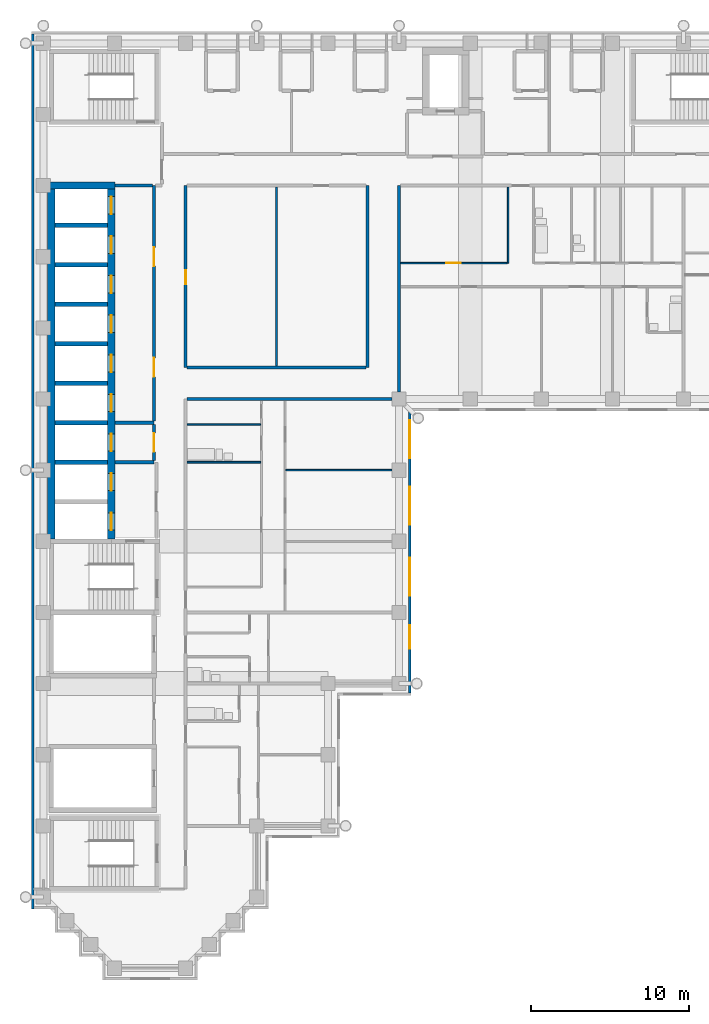
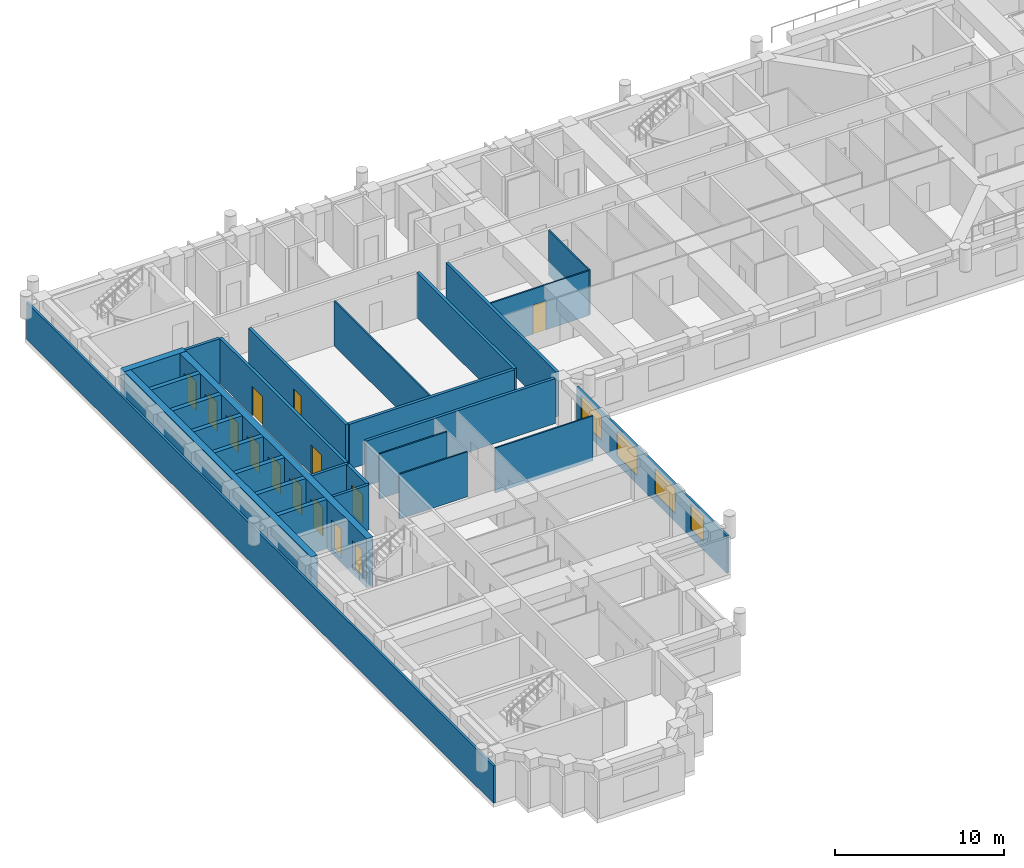
# One storey, part 7 of 14: 28 walls, 14 doors, 4 windows, 18 openings.
"""IFC4 building model written with IfcOpenShell, lengths in metres."""

from ifc_helpers import new_model, si_unit, direction, frame, frame_2d, origin, place, context, subcontext, project, spatial, rectangle, extrude, material, layer, layer_set, type_object, element, fill, save


model = new_model("IFC4")

# Units and contexts
model_context = context("Model", 3, precision=1e-05, world=origin(), true_north=direction((0.0, 1.0)))
body_context = subcontext(model_context, "Body", "Model", "MODEL_VIEW")
ifc_project = project(units=[si_unit("LENGTHUNIT", "METRE"), si_unit("AREAUNIT", "SQUARE_METRE"), si_unit("VOLUMEUNIT", "CUBIC_METRE"), si_unit("PLANEANGLEUNIT", "RADIAN"), si_unit("MASSUNIT", "GRAM", prefix="KILO")], contexts=[model_context])

# Site, building, storey
site_placement = place(None, origin())
site = spatial("IfcSite", under=ifc_project, at=site_placement, CompositionType="ELEMENT")
building_placement = place(site_placement, origin())
building = spatial("IfcBuilding", under=site, at=building_placement, Name="Firuza Court", CompositionType="ELEMENT")
storey_placement = place(building_placement, frame((0.0, 0.0, 182.60009765625)))
storey = spatial("IfcBuildingStorey", under=building, at=storey_placement, Name="L46", CompositionType="ELEMENT", Elevation=182.60009765625)

# Walls
ifc_material_1 = material(Name="Moisture-resistant gypsum board partition")
ifc_layer_1 = layer(ifc_material_1, 0.10009765625)
ifc_layer_set_1 = layer_set([ifc_layer_1], Name="Moisture-resistant gypsum board partition")
wall_type_1 = type_object("IfcWallType", Name="Bathroom partition 100", PredefinedType="PLUMBINGWALL", material=ifc_layer_set_1)
for number, where, z_axis, x_axis, name in (
    (1, (9.10009765625, 32.0, 0.0), (0.0, 0.0, 1.0), (1.0, 0.0, 0.0), "Bathroom partition 100 L46"),
    (2, (9.10009765625, 34.39990234375, 0.0), (0.0, 0.0, 1.0), (1.0, 0.0, 0.0), "Bathroom partition 100 L46"),
):
    element("IfcWall", number, at=place(storey_placement, frame(where, z_axis=z_axis, x_axis=x_axis)), inside=storey, type_object=wall_type_1, Name=name, PredefinedType="PLUMBINGWALL", context=body_context, shape_type="SweptSolid", body=[
        extrude(rectangle(XDim=4.64990234375, YDim=0.10009765625, at=frame_2d((2.324951171875, 0.0))), origin(), (0.0, 0.0, 1.0), 3.25),
    ])
ifc_material_2 = material(Name="Concrete C50/60", Category="concrete")
ifc_layer_2 = layer(ifc_material_2, 0.300048828125)
ifc_layer_set_2 = layer_set([ifc_layer_2], Name="Concrete C50/60")
wall_type_2 = type_object("IfcWallType", Name="Core wall 300 C50/60", PredefinedType="SHEAR", material=ifc_layer_set_2)
for number, where, z_axis, x_axis, name in (
    (3, (0.72509765625, 32.0, -0.300048828125), (0.0, 0.0, 1.0), (1.0, 0.0, 0.0), "Core wall lift shaft L46"),
    (4, (0.72509765625, 34.5, -0.300048828125), (0.0, 0.0, 1.0), (1.0, 0.0, 0.0), "Core wall lift shaft L46"),
    (5, (0.72509765625, 37.0, -0.300048828125), (0.0, 0.0, 1.0), (1.0, 0.0, 0.0), "Core wall lift shaft L46"),
    (6, (0.72509765625, 39.5, -0.300048828125), (0.0, 0.0, 1.0), (1.0, 0.0, 0.0), "Core wall lift shaft L46"),
    (7, (0.72509765625, 42.0, -0.300048828125), (0.0, 0.0, 1.0), (1.0, 0.0, 0.0), "Core wall lift shaft L46"),
    (8, (0.72509765625, 44.5, -0.300048828125), (0.0, 0.0, 1.0), (1.0, 0.0, 0.0), "Core wall lift shaft L46"),
    (9, (0.72509765625, 47.0, -0.300048828125), (0.0, 0.0, 1.0), (1.0, 0.0, 0.0), "Core wall lift shaft L46"),
):
    element("IfcWall", number, at=place(storey_placement, frame(where, z_axis=z_axis, x_axis=x_axis)), inside=storey, type_object=wall_type_2, Name=name, PredefinedType="SHEAR", context=body_context, shape_type="SweptSolid", body=[
        extrude(rectangle(XDim=3.349853515625, YDim=0.300048828125, at=frame_2d((1.6748046875, 0.0))), origin(), (0.0, 0.0, 1.0), 3.550048828125),
    ])
ifc_layer_3 = layer(ifc_material_2, 0.449951171875)
ifc_layer_set_3 = layer_set([ifc_layer_3], Name="Concrete C50/60")
wall_type_3 = type_object("IfcWallType", Name="Core wall 450 C50/60", PredefinedType="SHEAR", material=ifc_layer_set_3)
wall_1_placement = place(storey_placement, frame((0.27490234375, 49.5, -0.300048828125), z_axis=(0.0, 0.0, 1.0), x_axis=(1.0, 0.0, 0.0)))
element("IfcWall", 10, at=wall_1_placement, inside=storey, type_object=wall_type_3, Name="Core wall lift shaft L46", PredefinedType="SHEAR", context=body_context, shape_type="SweptSolid", body=[
    extrude(rectangle(XDim=4.25, YDim=0.449951171875, at=frame_2d((2.125, 0.0))), origin(), (0.0, 0.0, 1.0), 3.550048828125),
])
wall_2_placement = place(storey_placement, frame((0.5, 27.14990234375, -0.300048828125), z_axis=(0.0, 0.0, 1.0), x_axis=(0.0, 1.0, 0.0)))
element("IfcWall", 11, at=wall_2_placement, inside=storey, type_object=wall_type_3, Name="Core wall lift shaft L46", PredefinedType="SHEAR", context=body_context, shape_type="SweptSolid", body=[
    extrude(rectangle(XDim=22.125, YDim=0.449951171875, at=frame_2d((11.0625, 0.0))), origin(), (0.0, 0.0, 1.0), 3.550048828125),
])

# Wall, openings, doors
wall_3_placement = place(storey_placement, frame((4.300048828125, 27.14990234375, -0.300048828125), z_axis=(0.0, 0.0, 1.0), x_axis=(0.0, 1.0, 0.0)))
wall_3 = element("IfcWall", 12, at=wall_3_placement, inside=storey, type_object=wall_type_3, Name="Core wall lift shaft L46", PredefinedType="SHEAR", context=body_context, shape_type="SweptSolid", body=[
    extrude(rectangle(XDim=22.125, YDim=0.449951171875, at=frame_2d((11.0625, 0.0))), origin(), (0.0, 0.0, 1.0), 3.550048828125),
])
opening_1_placement = place(wall_3_placement, frame((3.050048828125, 0.0, 0.300048828125)))
opening_1 = element("IfcOpeningElement", 13, at=opening_1_placement, cuts=wall_3, Name="Opening LD-FL1-46", PredefinedType="OPENING", context=body_context, shape_type="SweptSolid", body=[
    extrude(rectangle(XDim=1.10009765625, YDim=2.10009765625, at=frame_2d((0.550048828125, 1.050048828125))), frame((0.0, 0.23681640625, 0.0), z_axis=(0.0, -1.0, 0.0), x_axis=(1.0, 0.0, 0.0)), (0.0, 0.0, 1.0), 0.473876953125),
])
opening_2_placement = place(wall_3_placement, frame((0.550048828125, 0.0, 0.300048828125)))
opening_2 = element("IfcOpeningElement", 14, at=opening_2_placement, cuts=wall_3, Name="Opening LD-FL2-46", PredefinedType="OPENING", context=body_context, shape_type="SweptSolid", body=[
    extrude(rectangle(XDim=1.10009765625, YDim=2.10009765625, at=frame_2d((0.550048828125, 1.050048828125))), frame((0.0, 0.23681640625, 0.0), z_axis=(0.0, -1.0, 0.0), x_axis=(1.0, 0.0, 0.0)), (0.0, 0.0, 1.0), 0.473876953125),
])
opening_3_placement = place(wall_3_placement, frame((20.550048828125, 0.0, 0.300048828125)))
opening_3 = element("IfcOpeningElement", 15, at=opening_3_placement, cuts=wall_3, Name="Opening LD-HB1-46", PredefinedType="OPENING", context=body_context, shape_type="SweptSolid", body=[
    extrude(rectangle(XDim=1.10009765625, YDim=2.10009765625, at=frame_2d((0.550048828125, 1.050048828125))), frame((0.0, 0.23681640625, 0.0), z_axis=(0.0, -1.0, 0.0), x_axis=(1.0, 0.0, 0.0)), (0.0, 0.0, 1.0), 0.473876953125),
])
opening_4_placement = place(wall_3_placement, frame((18.050048828125, 0.0, 0.300048828125)))
opening_4 = element("IfcOpeningElement", 16, at=opening_4_placement, cuts=wall_3, Name="Opening LD-HB2-46", PredefinedType="OPENING", context=body_context, shape_type="SweptSolid", body=[
    extrude(rectangle(XDim=1.10009765625, YDim=2.10009765625, at=frame_2d((0.550048828125, 1.050048828125))), frame((0.0, 0.23681640625, 0.0), z_axis=(0.0, -1.0, 0.0), x_axis=(1.0, 0.0, 0.0)), (0.0, 0.0, 1.0), 0.473876953125),
])
opening_5_placement = place(wall_3_placement, frame((15.550048828125, 0.0, 0.300048828125)))
opening_5 = element("IfcOpeningElement", 17, at=opening_5_placement, cuts=wall_3, Name="Opening LD-HB3-46", PredefinedType="OPENING", context=body_context, shape_type="SweptSolid", body=[
    extrude(rectangle(XDim=1.10009765625, YDim=2.10009765625, at=frame_2d((0.550048828125, 1.050048828125))), frame((0.0, 0.23681640625, 0.0), z_axis=(0.0, -1.0, 0.0), x_axis=(1.0, 0.0, 0.0)), (0.0, 0.0, 1.0), 0.473876953125),
])
opening_6_placement = place(wall_3_placement, frame((13.050048828125, 0.0, 0.300048828125)))
opening_6 = element("IfcOpeningElement", 18, at=opening_6_placement, cuts=wall_3, Name="Opening LD-HB4-46", PredefinedType="OPENING", context=body_context, shape_type="SweptSolid", body=[
    extrude(rectangle(XDim=1.10009765625, YDim=2.10009765625, at=frame_2d((0.550048828125, 1.050048828125))), frame((0.0, 0.23681640625, 0.0), z_axis=(0.0, -1.0, 0.0), x_axis=(1.0, 0.0, 0.0)), (0.0, 0.0, 1.0), 0.473876953125),
])
opening_7_placement = place(wall_3_placement, frame((10.550048828125, 0.0, 0.300048828125)))
opening_7 = element("IfcOpeningElement", 19, at=opening_7_placement, cuts=wall_3, Name="Opening LD-HB5-46", PredefinedType="OPENING", context=body_context, shape_type="SweptSolid", body=[
    extrude(rectangle(XDim=1.10009765625, YDim=2.10009765625, at=frame_2d((0.550048828125, 1.050048828125))), frame((0.0, 0.23681640625, 0.0), z_axis=(0.0, -1.0, 0.0), x_axis=(1.0, 0.0, 0.0)), (0.0, 0.0, 1.0), 0.473876953125),
])
opening_8_placement = place(wall_3_placement, frame((8.050048828125, 0.0, 0.300048828125)))
opening_8 = element("IfcOpeningElement", 20, at=opening_8_placement, cuts=wall_3, Name="Opening LD-HB6-46", PredefinedType="OPENING", context=body_context, shape_type="SweptSolid", body=[
    extrude(rectangle(XDim=1.10009765625, YDim=2.10009765625, at=frame_2d((0.550048828125, 1.050048828125))), frame((0.0, 0.23681640625, 0.0), z_axis=(0.0, -1.0, 0.0), x_axis=(1.0, 0.0, 0.0)), (0.0, 0.0, 1.0), 0.473876953125),
])
opening_9_placement = place(wall_3_placement, frame((5.550048828125, 0.0, 0.300048828125)))
opening_9 = element("IfcOpeningElement", 21, at=opening_9_placement, cuts=wall_3, Name="Opening LD-SL1-46", PredefinedType="OPENING", context=body_context, shape_type="SweptSolid", body=[
    extrude(rectangle(XDim=1.10009765625, YDim=2.10009765625, at=frame_2d((0.550048828125, 1.050048828125))), frame((0.0, 0.23681640625, 0.0), z_axis=(0.0, -1.0, 0.0), x_axis=(1.0, 0.0, 0.0)), (0.0, 0.0, 1.0), 0.473876953125),
])
ifc_material_3 = material(Name="Stainless steel 1.4301 door leaf", Category="steel")
door_type_1 = type_object("IfcDoorType", Name="Lift landing door 1100", OperationType="SLIDING_TO_LEFT", PredefinedType="DOOR", material=ifc_material_3)
door_1_placement = place(opening_1_placement, origin())
door_1 = element("IfcDoor", 22, at=door_1_placement, inside=storey, type_object=door_type_1, Name="Landing door FL1", OperationType="SLIDING_TO_LEFT", OverallHeight=2.10009765625, OverallWidth=1.10009765625, PredefinedType="DOOR", context=body_context, shape_type="SweptSolid", body=[
    extrude(rectangle(XDim=1.10009765625, YDim=2.10009765625, at=frame_2d((0.550048828125, 1.050048828125))), frame((0.0, 0.02490234375, 0.0), z_axis=(0.0, -1.0, 0.0), x_axis=(1.0, 0.0, 0.0)), (0.0, 0.0, 1.0), 0.050048828125),
])
fill(opening_1, door_1)
door_2_placement = place(opening_2_placement, origin())
door_2 = element("IfcDoor", 23, at=door_2_placement, inside=storey, type_object=door_type_1, Name="Landing door FL2", OperationType="SLIDING_TO_LEFT", OverallHeight=2.10009765625, OverallWidth=1.10009765625, PredefinedType="DOOR", context=body_context, shape_type="SweptSolid", body=[
    extrude(rectangle(XDim=1.10009765625, YDim=2.10009765625, at=frame_2d((0.550048828125, 1.050048828125))), frame((0.0, 0.02490234375, 0.0), z_axis=(0.0, -1.0, 0.0), x_axis=(1.0, 0.0, 0.0)), (0.0, 0.0, 1.0), 0.050048828125),
])
fill(opening_2, door_2)
door_3_placement = place(opening_3_placement, origin())
door_3 = element("IfcDoor", 24, at=door_3_placement, inside=storey, type_object=door_type_1, Name="Landing door HB1", OperationType="SLIDING_TO_LEFT", OverallHeight=2.10009765625, OverallWidth=1.10009765625, PredefinedType="DOOR", context=body_context, shape_type="SweptSolid", body=[
    extrude(rectangle(XDim=1.10009765625, YDim=2.10009765625, at=frame_2d((0.550048828125, 1.050048828125))), frame((0.0, 0.02490234375, 0.0), z_axis=(0.0, -1.0, 0.0), x_axis=(1.0, 0.0, 0.0)), (0.0, 0.0, 1.0), 0.050048828125),
])
fill(opening_3, door_3)
door_4_placement = place(opening_4_placement, origin())
door_4 = element("IfcDoor", 25, at=door_4_placement, inside=storey, type_object=door_type_1, Name="Landing door HB2", OperationType="SLIDING_TO_LEFT", OverallHeight=2.10009765625, OverallWidth=1.10009765625, PredefinedType="DOOR", context=body_context, shape_type="SweptSolid", body=[
    extrude(rectangle(XDim=1.10009765625, YDim=2.10009765625, at=frame_2d((0.550048828125, 1.050048828125))), frame((0.0, 0.02490234375, 0.0), z_axis=(0.0, -1.0, 0.0), x_axis=(1.0, 0.0, 0.0)), (0.0, 0.0, 1.0), 0.050048828125),
])
fill(opening_4, door_4)
door_5_placement = place(opening_5_placement, origin())
door_5 = element("IfcDoor", 26, at=door_5_placement, inside=storey, type_object=door_type_1, Name="Landing door HB3", OperationType="SLIDING_TO_LEFT", OverallHeight=2.10009765625, OverallWidth=1.10009765625, PredefinedType="DOOR", context=body_context, shape_type="SweptSolid", body=[
    extrude(rectangle(XDim=1.10009765625, YDim=2.10009765625, at=frame_2d((0.550048828125, 1.050048828125))), frame((0.0, 0.02490234375, 0.0), z_axis=(0.0, -1.0, 0.0), x_axis=(1.0, 0.0, 0.0)), (0.0, 0.0, 1.0), 0.050048828125),
])
fill(opening_5, door_5)
door_6_placement = place(opening_6_placement, origin())
door_6 = element("IfcDoor", 27, at=door_6_placement, inside=storey, type_object=door_type_1, Name="Landing door HB4", OperationType="SLIDING_TO_LEFT", OverallHeight=2.10009765625, OverallWidth=1.10009765625, PredefinedType="DOOR", context=body_context, shape_type="SweptSolid", body=[
    extrude(rectangle(XDim=1.10009765625, YDim=2.10009765625, at=frame_2d((0.550048828125, 1.050048828125))), frame((0.0, 0.02490234375, 0.0), z_axis=(0.0, -1.0, 0.0), x_axis=(1.0, 0.0, 0.0)), (0.0, 0.0, 1.0), 0.050048828125),
])
fill(opening_6, door_6)
door_7_placement = place(opening_7_placement, origin())
door_7 = element("IfcDoor", 28, at=door_7_placement, inside=storey, type_object=door_type_1, Name="Landing door HB5", OperationType="SLIDING_TO_LEFT", OverallHeight=2.10009765625, OverallWidth=1.10009765625, PredefinedType="DOOR", context=body_context, shape_type="SweptSolid", body=[
    extrude(rectangle(XDim=1.10009765625, YDim=2.10009765625, at=frame_2d((0.550048828125, 1.050048828125))), frame((0.0, 0.02490234375, 0.0), z_axis=(0.0, -1.0, 0.0), x_axis=(1.0, 0.0, 0.0)), (0.0, 0.0, 1.0), 0.050048828125),
])
fill(opening_7, door_7)
door_8_placement = place(opening_8_placement, origin())
door_8 = element("IfcDoor", 29, at=door_8_placement, inside=storey, type_object=door_type_1, Name="Landing door HB6", OperationType="SLIDING_TO_LEFT", OverallHeight=2.10009765625, OverallWidth=1.10009765625, PredefinedType="DOOR", context=body_context, shape_type="SweptSolid", body=[
    extrude(rectangle(XDim=1.10009765625, YDim=2.10009765625, at=frame_2d((0.550048828125, 1.050048828125))), frame((0.0, 0.02490234375, 0.0), z_axis=(0.0, -1.0, 0.0), x_axis=(1.0, 0.0, 0.0)), (0.0, 0.0, 1.0), 0.050048828125),
])
fill(opening_8, door_8)
door_9_placement = place(opening_9_placement, origin())
door_9 = element("IfcDoor", 30, at=door_9_placement, inside=storey, type_object=door_type_1, Name="Landing door SL1", OperationType="SLIDING_TO_LEFT", OverallHeight=2.10009765625, OverallWidth=1.10009765625, PredefinedType="DOOR", context=body_context, shape_type="SweptSolid", body=[
    extrude(rectangle(XDim=1.10009765625, YDim=2.10009765625, at=frame_2d((0.550048828125, 1.050048828125))), frame((0.0, 0.02490234375, 0.0), z_axis=(0.0, -1.0, 0.0), x_axis=(1.0, 0.0, 0.0)), (0.0, 0.0, 1.0), 0.050048828125),
])
fill(opening_9, door_9)

# Wall, opening, door
ifc_material_4 = material(Name="Blockwork, plastered both sides", Category="masonry")
ifc_layer_4 = layer(ifc_material_4, 0.199951171875)
ifc_layer_set_4 = layer_set([ifc_layer_4], Name="Blockwork, plastered both sides")
wall_type_4 = type_object("IfcWallType", Name="Corridor wall 200", PredefinedType="PARTITIONING", material=ifc_layer_set_4)
wall_4_placement = place(storey_placement, frame((9.0, 38.0, 0.0), z_axis=(0.0, 0.0, 1.0), x_axis=(0.0, 1.0, 0.0)))
wall_4 = element("IfcWall", 31, at=wall_4_placement, inside=storey, type_object=wall_type_4, Name="Corridor wall 200 L46", PredefinedType="PARTITIONING", context=body_context, shape_type="SweptSolid", body=[
    extrude(rectangle(XDim=11.5, YDim=0.199951171875, at=frame_2d((5.75, 0.0))), origin(), (0.0, 0.0, 1.0), 3.25),
])
opening_10_placement = place(wall_4_placement, frame((5.25, 0.0, 0.0)))
opening_10 = element("IfcOpeningElement", 32, at=opening_10_placement, cuts=wall_4, Name="Opening D46036", PredefinedType="OPENING", context=body_context, shape_type="SweptSolid", body=[
    extrude(rectangle(XDim=0.89990234375, YDim=2.10009765625, at=frame_2d((0.449951171875, 1.050048828125))), frame((0.0, 0.11181640625, 0.0), z_axis=(0.0, -1.0, 0.0), x_axis=(1.0, 0.0, 0.0)), (0.0, 0.0, 1.0), 0.223876953125),
])
ifc_material_5 = material(Name="Timber door leaf in hardwood frame", Category="wood")
door_type_2 = type_object("IfcDoorType", Name="Room door 900 EI 30", OperationType="SINGLE_SWING_LEFT", PredefinedType="DOOR", material=ifc_material_5)
door_10_placement = place(opening_10_placement, origin())
door_10 = element("IfcDoor", 33, at=door_10_placement, inside=storey, type_object=door_type_2, Name="Residents' club lounge door", OperationType="SINGLE_SWING_LEFT", OverallHeight=2.10009765625, OverallWidth=0.89990234375, PredefinedType="DOOR", context=body_context, shape_type="SweptSolid", body=[
    extrude(rectangle(XDim=0.89990234375, YDim=2.10009765625, at=frame_2d((0.449951171875, 1.050048828125))), frame((0.0, 0.02490234375, 0.0), z_axis=(0.0, -1.0, 0.0), x_axis=(1.0, 0.0, 0.0)), (0.0, 0.0, 1.0), 0.050048828125),
])
fill(opening_10, door_10)

# Walls
wall_5_placement = place(storey_placement, frame((9.10009765625, 38.0, 0.0), z_axis=(0.0, 0.0, 1.0), x_axis=(1.0, 0.0, 0.0)))
element("IfcWall", 34, at=wall_5_placement, inside=storey, type_object=wall_type_4, Name="Corridor wall 200 L46", PredefinedType="PARTITIONING", context=body_context, shape_type="SweptSolid", body=[
    extrude(rectangle(XDim=11.2998046875, YDim=0.199951171875, at=frame_2d((5.64990234375, 0.0))), origin(), (0.0, 0.0, 1.0), 3.25),
])
wall_6_placement = place(storey_placement, frame((20.5, 38.0, 0.0), z_axis=(0.0, 0.0, 1.0), x_axis=(0.0, 1.0, 0.0)))
element("IfcWall", 35, at=wall_6_placement, inside=storey, type_object=wall_type_4, Name="Corridor wall 200 L46", PredefinedType="PARTITIONING", context=body_context, shape_type="SweptSolid", body=[
    extrude(rectangle(XDim=11.5, YDim=0.199951171875, at=frame_2d((5.75, 0.0))), origin(), (0.0, 0.0, 1.0), 3.25),
])
ifc_material_6 = material(Name="Timber stud partition, plasterboard both sides", Category="wood")
ifc_layer_5 = layer(ifc_material_6, 0.10009765625)
ifc_layer_set_5 = layer_set([ifc_layer_5], Name="Timber stud partition, plasterboard both sides")
wall_type_5 = type_object("IfcWallType", Name="Partition wall 100", PredefinedType="PARTITIONING", material=ifc_layer_set_5)
wall_7_placement = place(storey_placement, frame((15.35009765625, 31.5, 0.0), z_axis=(0.0, 0.0, 1.0), x_axis=(1.0, 0.0, 0.0)))
element("IfcWall", 36, at=wall_7_placement, inside=storey, type_object=wall_type_5, Name="Partition wall 100 L46", PredefinedType="PARTITIONING", context=body_context, shape_type="SweptSolid", body=[
    extrude(rectangle(XDim=6.699951171875, YDim=0.10009765625, at=frame_2d((3.35009765625, 0.0))), origin(), (0.0, 0.0, 1.0), 3.25),
])
wall_8_placement = place(storey_placement, frame((14.75, 38.10009765625, 0.0), z_axis=(0.0, 0.0, 1.0), x_axis=(0.0, 1.0, 0.0)))
element("IfcWall", 37, at=wall_8_placement, inside=storey, type_object=wall_type_5, Name="Partition wall 100 L46", PredefinedType="PARTITIONING", context=body_context, shape_type="SweptSolid", body=[
    extrude(rectangle(XDim=11.2998046875, YDim=0.10009765625, at=frame_2d((5.64990234375, 0.0))), origin(), (0.0, 0.0, 1.0), 3.25),
])

# Wall, opening, door
wall_9_placement = place(storey_placement, frame((22.60009765625, 44.60009765625, 0.0), z_axis=(0.0, 0.0, 1.0), x_axis=(1.0, 0.0, 0.0)))
wall_9 = element("IfcWall", 38, at=wall_9_placement, inside=storey, type_object=wall_type_5, Name="Partition wall 100 L46", PredefinedType="PARTITIONING", context=body_context, shape_type="SweptSolid", body=[
    extrude(rectangle(XDim=6.75, YDim=0.10009765625, at=frame_2d((3.375, 0.0))), origin(), (0.0, 0.0, 1.0), 3.25),
])
opening_11_placement = place(wall_9_placement, frame((2.89990234375, 0.0, 0.0)))
opening_11 = element("IfcOpeningElement", 39, at=opening_11_placement, cuts=wall_9, Name="Opening D46050", PredefinedType="OPENING", context=body_context, shape_type="SweptSolid", body=[
    extrude(rectangle(XDim=0.89990234375, YDim=2.10009765625, at=frame_2d((0.449951171875, 1.050048828125))), frame((0.0, 0.06201171875, 0.0), z_axis=(0.0, -1.0, 0.0), x_axis=(1.0, 0.0, 0.0)), (0.0, 0.0, 1.0), 0.1240234375),
])
ifc_material_7 = material(Name="Timber door leaf in hardwood frame", Category="wood")
door_type_3 = type_object("IfcDoorType", Name="Room door 900", OperationType="SINGLE_SWING_LEFT", PredefinedType="DOOR", material=ifc_material_7)
door_11_placement = place(opening_11_placement, origin())
door_11 = element("IfcDoor", 40, at=door_11_placement, inside=storey, type_object=door_type_3, Name="Kitchen door", OperationType="SINGLE_SWING_LEFT", OverallHeight=2.10009765625, OverallWidth=0.89990234375, PredefinedType="DOOR", context=body_context, shape_type="SweptSolid", body=[
    extrude(rectangle(XDim=0.89990234375, YDim=2.10009765625, at=frame_2d((0.449951171875, 1.050048828125))), frame((0.0, 0.02490234375, 0.0), z_axis=(0.0, -1.0, 0.0), x_axis=(1.0, 0.0, 0.0)), (0.0, 0.0, 1.0), 0.050048828125),
])
fill(opening_11, door_11)

# Walls
wall_10_placement = place(storey_placement, frame((29.39990234375, 44.60009765625, 0.0), z_axis=(0.0, 0.0, 1.0), x_axis=(0.0, 1.0, 0.0)))
element("IfcWall", 41, at=wall_10_placement, inside=storey, type_object=wall_type_5, Name="Partition wall 100 L46", PredefinedType="PARTITIONING", context=body_context, shape_type="SweptSolid", body=[
    extrude(rectangle(XDim=4.7998046875, YDim=0.10009765625, at=frame_2d((2.39990234375, 0.0))), origin(), (0.0, 0.0, 1.0), 3.25),
])
ifc_layer_6 = layer(ifc_material_4, 0.199951171875)
ifc_layer_set_6 = layer_set([ifc_layer_6], Name="Blockwork, plastered both sides")
wall_type_6 = type_object("IfcWallType", Name="Party wall 200", PredefinedType="PARTITIONING", material=ifc_layer_set_6)
wall_11_placement = place(storey_placement, frame((9.10009765625, 36.0, 0.0), z_axis=(0.0, 0.0, 1.0), x_axis=(1.0, 0.0, 0.0)))
element("IfcWall", 42, at=wall_11_placement, inside=storey, type_object=wall_type_6, Name="Party wall 200 L46", PredefinedType="PARTITIONING", context=body_context, shape_type="SweptSolid", body=[
    extrude(rectangle(XDim=12.949951171875, YDim=0.199951171875, at=frame_2d((6.47509765625, 0.0))), origin(), (0.0, 0.0, 1.0), 3.25),
])
wall_12_placement = place(storey_placement, frame((22.5, 36.449951171875, 0.0), z_axis=(0.0, 0.0, 1.0), x_axis=(0.0, 1.0, 0.0)))
element("IfcWall", 43, at=wall_12_placement, inside=storey, type_object=wall_type_6, Name="Party wall 200 L46", PredefinedType="PARTITIONING", context=body_context, shape_type="SweptSolid", body=[
    extrude(rectangle(XDim=13.050048828125, YDim=0.199951171875, at=frame_2d((6.52490234375, 0.0))), origin(), (0.0, 0.0, 1.0), 3.25),
])

# Wall, openings, windows
ifc_material_8 = material(Name="Ceramic tile", Category="ceramic")
ifc_layer_7 = layer(ifc_material_8, 0.02001953125)
ifc_material_9 = material(Name="Mineral wool insulation", Category="insulation")
ifc_layer_8 = layer(ifc_material_9, 0.050048828125)
ifc_material_10 = material(Name="Concrete C40/50 precast", Category="concrete")
ifc_layer_9 = layer(ifc_material_10, 0.080078125)
ifc_layer_set_7 = layer_set([ifc_layer_7, ifc_layer_8, ifc_layer_9], Name="Concrete C40/50 precast")
wall_type_7 = type_object("IfcWallType", Name="Precast cladding wall with turquoise TILE PANEL face 150", PredefinedType="STANDARD", material=ifc_layer_set_7)
wall_13_placement = place(storey_placement, frame((23.175048828125, 17.39990234375, 0.0), z_axis=(0.0, 0.0, 1.0), x_axis=(0.0, 1.0, 0.0)))
wall_13 = element("IfcWall", 44, at=wall_13_placement, inside=storey, type_object=wall_type_7, Name="Facade wall L46 E", PredefinedType="STANDARD", context=body_context, shape_type="SweptSolid", body=[
    extrude(rectangle(XDim=17.85009765625, YDim=0.14990234375, at=frame_2d((8.925048828125, 0.0))), origin(), (0.0, 0.0, 1.0), 2.699951171875),
])
opening_12_placement = place(wall_13_placement, frame((2.801513671875, 0.0, 0.60009765625)))
opening_12 = element("IfcOpeningElement", 45, at=opening_12_placement, cuts=wall_13, Name="Opening W2", PredefinedType="OPENING", context=body_context, shape_type="SweptSolid", body=[
    extrude(rectangle(XDim=1.5, YDim=1.800048828125, at=frame_2d((0.75, 0.89990234375))), frame((0.0, 0.0869140625, 0.0), z_axis=(0.0, -1.0, 0.0), x_axis=(1.0, 0.0, 0.0)), (0.0, 0.0, 1.0), 0.173828125),
])
opening_13_placement = place(wall_13_placement, frame((6.14990234375, 0.0, 0.60009765625)))
opening_13 = element("IfcOpeningElement", 46, at=opening_13_placement, cuts=wall_13, Name="Opening W1", PredefinedType="OPENING", context=body_context, shape_type="SweptSolid", body=[
    extrude(rectangle(XDim=2.39990234375, YDim=1.800048828125, at=frame_2d((1.199951171875, 0.89990234375))), frame((0.0, 0.0869140625, 0.0), z_axis=(0.0, -1.0, 0.0), x_axis=(1.0, 0.0, 0.0)), (0.0, 0.0, 1.0), 0.173828125),
])
opening_14_placement = place(wall_13_placement, frame((10.64990234375, 0.0, 0.60009765625)))
opening_14 = element("IfcOpeningElement", 47, at=opening_14_placement, cuts=wall_13, Name="Opening W1", PredefinedType="OPENING", context=body_context, shape_type="SweptSolid", body=[
    extrude(rectangle(XDim=2.39990234375, YDim=1.800048828125, at=frame_2d((1.199951171875, 0.89990234375))), frame((0.0, 0.0869140625, 0.0), z_axis=(0.0, -1.0, 0.0), x_axis=(1.0, 0.0, 0.0)), (0.0, 0.0, 1.0), 0.173828125),
])
opening_15_placement = place(wall_13_placement, frame((14.869384765625, 0.0, 0.60009765625)))
opening_15 = element("IfcOpeningElement", 48, at=opening_15_placement, cuts=wall_13, Name="Opening W1", PredefinedType="OPENING", context=body_context, shape_type="SweptSolid", body=[
    extrude(rectangle(XDim=2.39990234375, YDim=1.800048828125, at=frame_2d((1.199951171875, 0.89990234375))), frame((0.0, 0.0869140625, 0.0), z_axis=(0.0, -1.0, 0.0), x_axis=(1.0, 0.0, 0.0)), (0.0, 0.0, 1.0), 0.173828125),
])
ifc_material_11 = material(Name="Aluminium frame, triple clear glazing", Category="aluminium")
window_type_1 = type_object("IfcWindowType", Name="Window W1 2400 x 1800", PartitioningType="SINGLE_PANEL", PredefinedType="WINDOW", material=ifc_material_11)
window_1_placement = place(opening_13_placement, origin())
window_1 = element("IfcWindow", 49, at=window_1_placement, inside=storey, type_object=window_type_1, Name="Window L46", OverallHeight=1.800048828125, OverallWidth=2.39990234375, PartitioningType="SINGLE_PANEL", PredefinedType="WINDOW", context=body_context, shape_type="SweptSolid", body=[
    extrude(rectangle(XDim=2.39990234375, YDim=1.800048828125, at=frame_2d((1.199951171875, 0.89990234375))), frame((0.0, 0.030029296875, 0.0), z_axis=(0.0, -1.0, 0.0), x_axis=(1.0, 0.0, 0.0)), (0.0, 0.0, 1.0), 0.06005859375),
])
fill(opening_13, window_1)
window_2_placement = place(opening_14_placement, origin())
window_2 = element("IfcWindow", 50, at=window_2_placement, inside=storey, type_object=window_type_1, Name="Window L46", OverallHeight=1.800048828125, OverallWidth=2.39990234375, PartitioningType="SINGLE_PANEL", PredefinedType="WINDOW", context=body_context, shape_type="SweptSolid", body=[
    extrude(rectangle(XDim=2.39990234375, YDim=1.800048828125, at=frame_2d((1.199951171875, 0.89990234375))), frame((0.0, 0.030029296875, 0.0), z_axis=(0.0, -1.0, 0.0), x_axis=(1.0, 0.0, 0.0)), (0.0, 0.0, 1.0), 0.06005859375),
])
fill(opening_14, window_2)
window_3_placement = place(opening_15_placement, origin())
window_3 = element("IfcWindow", 51, at=window_3_placement, inside=storey, type_object=window_type_1, Name="Window L46", OverallHeight=1.800048828125, OverallWidth=2.39990234375, PartitioningType="SINGLE_PANEL", PredefinedType="WINDOW", context=body_context, shape_type="SweptSolid", body=[
    extrude(rectangle(XDim=2.39990234375, YDim=1.800048828125, at=frame_2d((1.199951171875, 0.89990234375))), frame((0.0, 0.030029296875, 0.0), z_axis=(0.0, -1.0, 0.0), x_axis=(1.0, 0.0, 0.0)), (0.0, 0.0, 1.0), 0.06005859375),
])
fill(opening_15, window_3)
ifc_material_12 = material(Name="Aluminium frame, triple clear glazing", Category="aluminium")
window_type_2 = type_object("IfcWindowType", Name="Window W2 1500 x 1800", PartitioningType="SINGLE_PANEL", PredefinedType="WINDOW", material=ifc_material_12)
window_4_placement = place(opening_12_placement, origin())
window_4 = element("IfcWindow", 52, at=window_4_placement, inside=storey, type_object=window_type_2, Name="Window L46", OverallHeight=1.800048828125, OverallWidth=1.5, PartitioningType="SINGLE_PANEL", PredefinedType="WINDOW", context=body_context, shape_type="SweptSolid", body=[
    extrude(rectangle(XDim=1.5, YDim=1.800048828125, at=frame_2d((0.75, 0.89990234375))), frame((0.0, 0.030029296875, 0.0), z_axis=(0.0, -1.0, 0.0), x_axis=(1.0, 0.0, 0.0)), (0.0, 0.0, 1.0), 0.06005859375),
])
fill(opening_12, window_4)

# Walls
wall_14_placement = place(storey_placement, frame((-0.675048828125, 59.10009765625, 0.0), z_axis=(0.0, 0.0, 1.0), x_axis=(0.0, -1.0, 0.0)))
element("IfcWall", 53, at=wall_14_placement, inside=storey, type_object=wall_type_7, Name="Facade wall L46 W", PredefinedType="STANDARD", context=body_context, shape_type="SweptSolid", body=[
    extrude(rectangle(XDim=55.35009765625, YDim=0.14990234375, at=frame_2d((27.675048828125, 0.0))), origin(), (0.0, 0.0, 1.0), 2.699951171875),
])
ifc_material_13 = material(Name="Blockwork, fire-rated", Category="masonry")
ifc_layer_10 = layer(ifc_material_13, 0.199951171875)
ifc_layer_set_8 = layer_set([ifc_layer_10], Name="Blockwork, fire-rated")
wall_type_8 = type_object("IfcWallType", Name="Shaft wall 200", PredefinedType="PARTITIONING", material=ifc_layer_set_8)
wall_15_placement = place(storey_placement, frame((4.544921875, 34.5, 0.0), z_axis=(0.0, 0.0, 1.0), x_axis=(1.0, 0.0, 0.0)))
element("IfcWall", 54, at=wall_15_placement, inside=storey, type_object=wall_type_8, Name="Shaft wall 200 L46", PredefinedType="PARTITIONING", context=body_context, shape_type="SweptSolid", body=[
    extrude(rectangle(XDim=2.455078125, YDim=0.199951171875, at=frame_2d((1.2275390625, 0.0))), origin(), (0.0, 0.0, 1.0), 3.25),
])

# Wall, openings, doors
wall_16_placement = place(storey_placement, frame((7.0, 34.60009765625, 0.0), z_axis=(0.0, 0.0, 1.0), x_axis=(0.0, 1.0, 0.0)))
wall_16 = element("IfcWall", 55, at=wall_16_placement, inside=storey, type_object=wall_type_8, Name="Shaft wall 200 L46", PredefinedType="PARTITIONING", context=body_context, shape_type="SweptSolid", body=[
    extrude(rectangle(XDim=14.89990234375, YDim=0.199951171875, at=frame_2d((7.449951171875, 0.0))), origin(), (0.0, 0.0, 1.0), 3.25),
])
opening_16_placement = place(wall_16_placement, frame((2.800048828125, 0.0, 0.0)))
opening_16 = element("IfcOpeningElement", 56, at=opening_16_placement, cuts=wall_16, Name="Opening D46004", PredefinedType="OPENING", context=body_context, shape_type="SweptSolid", body=[
    extrude(rectangle(XDim=1.199951171875, YDim=2.10009765625, at=frame_2d((0.60009765625, 1.050048828125))), frame((0.0, 0.11181640625, 0.0), z_axis=(0.0, -1.0, 0.0), x_axis=(1.0, 0.0, 0.0)), (0.0, 0.0, 1.0), 0.223876953125),
])
opening_17_placement = place(wall_16_placement, frame((9.800048828125, 0.0, 0.0)))
opening_17 = element("IfcOpeningElement", 57, at=opening_17_placement, cuts=wall_16, Name="Opening D46005", PredefinedType="OPENING", context=body_context, shape_type="SweptSolid", body=[
    extrude(rectangle(XDim=1.199951171875, YDim=2.10009765625, at=frame_2d((0.60009765625, 1.050048828125))), frame((0.0, 0.11181640625, 0.0), z_axis=(0.0, -1.0, 0.0), x_axis=(1.0, 0.0, 0.0)), (0.0, 0.0, 1.0), 0.223876953125),
])
ifc_material_14 = material(Name="Timber door leaf in hardwood frame", Category="wood")
door_type_4 = type_object("IfcDoorType", Name="Lobby door 1200", OperationType="SINGLE_SWING_LEFT", PredefinedType="DOOR", material=ifc_material_14)
door_12_placement = place(opening_16_placement, origin())
door_12 = element("IfcDoor", 58, at=door_12_placement, inside=storey, type_object=door_type_4, Name="Lobby door", OperationType="SINGLE_SWING_LEFT", OverallHeight=2.10009765625, OverallWidth=1.199951171875, PredefinedType="DOOR", context=body_context, shape_type="SweptSolid", body=[
    extrude(rectangle(XDim=1.199951171875, YDim=2.10009765625, at=frame_2d((0.60009765625, 1.050048828125))), frame((0.0, 0.02490234375, 0.0), z_axis=(0.0, -1.0, 0.0), x_axis=(1.0, 0.0, 0.0)), (0.0, 0.0, 1.0), 0.050048828125),
])
fill(opening_16, door_12)
door_13_placement = place(opening_17_placement, origin())
door_13 = element("IfcDoor", 59, at=door_13_placement, inside=storey, type_object=door_type_4, Name="Lobby door", OperationType="SINGLE_SWING_RIGHT", OverallHeight=2.10009765625, OverallWidth=1.199951171875, PredefinedType="DOOR", context=body_context, shape_type="SweptSolid", body=[
    extrude(rectangle(XDim=1.199951171875, YDim=2.10009765625, at=frame_2d((0.60009765625, 1.050048828125))), frame((0.0, 0.02490234375, 0.0), z_axis=(0.0, -1.0, 0.0), x_axis=(1.0, 0.0, 0.0)), (0.0, 0.0, 1.0), 0.050048828125),
])
fill(opening_17, door_13)

# Walls
wall_17_placement = place(storey_placement, frame((4.52490234375, 49.5, 0.0), z_axis=(0.0, 0.0, 1.0), x_axis=(1.0, 0.0, 0.0)))
element("IfcWall", 60, at=wall_17_placement, inside=storey, type_object=wall_type_8, Name="Shaft wall 200 L46", PredefinedType="PARTITIONING", context=body_context, shape_type="SweptSolid", body=[
    extrude(rectangle(XDim=2.375, YDim=0.199951171875, at=frame_2d((1.1875, 0.0))), origin(), (0.0, 0.0, 1.0), 3.25),
])
wall_18_placement = place(storey_placement, frame((4.544921875, 32.0, 0.0), z_axis=(0.0, 0.0, 1.0), x_axis=(1.0, 0.0, 0.0)))
element("IfcWall", 61, at=wall_18_placement, inside=storey, type_object=wall_type_8, Name="Shaft wall 200 L46", PredefinedType="PARTITIONING", context=body_context, shape_type="SweptSolid", body=[
    extrude(rectangle(XDim=2.455078125, YDim=0.199951171875, at=frame_2d((1.2275390625, 0.0))), origin(), (0.0, 0.0, 1.0), 3.25),
])

# Wall, opening, door
wall_19_placement = place(storey_placement, frame((7.0, 32.10009765625, 0.0), z_axis=(0.0, 0.0, 1.0), x_axis=(0.0, 1.0, 0.0)))
wall_19 = element("IfcWall", 62, at=wall_19_placement, inside=storey, type_object=wall_type_8, Name="Shaft wall 200 L46", PredefinedType="PARTITIONING", context=body_context, shape_type="SweptSolid", body=[
    extrude(rectangle(XDim=2.2998046875, YDim=0.199951171875, at=frame_2d((1.14990234375, 0.0))), origin(), (0.0, 0.0, 1.0), 3.25),
])
opening_18_placement = place(wall_19_placement, frame((0.550048828125, 0.0, 0.0)))
opening_18 = element("IfcOpeningElement", 63, at=opening_18_placement, cuts=wall_19, Name="Opening D46008", PredefinedType="OPENING", context=body_context, shape_type="SweptSolid", body=[
    extrude(rectangle(XDim=1.199951171875, YDim=2.10009765625, at=frame_2d((0.60009765625, 1.050048828125))), frame((0.0, 0.11181640625, 0.0), z_axis=(0.0, -1.0, 0.0), x_axis=(1.0, 0.0, 0.0)), (0.0, 0.0, 1.0), 0.223876953125),
])
door_14_placement = place(opening_18_placement, origin())
door_14 = element("IfcDoor", 64, at=door_14_placement, inside=storey, type_object=door_type_4, Name="Lobby door", OperationType="SINGLE_SWING_LEFT", OverallHeight=2.10009765625, OverallWidth=1.199951171875, PredefinedType="DOOR", context=body_context, shape_type="SweptSolid", body=[
    extrude(rectangle(XDim=1.199951171875, YDim=2.10009765625, at=frame_2d((0.60009765625, 1.050048828125))), frame((0.0, 0.02490234375, 0.0), z_axis=(0.0, -1.0, 0.0), x_axis=(1.0, 0.0, 0.0)), (0.0, 0.0, 1.0), 0.050048828125),
])
fill(opening_18, door_14)

save(model, "model.ifc")
